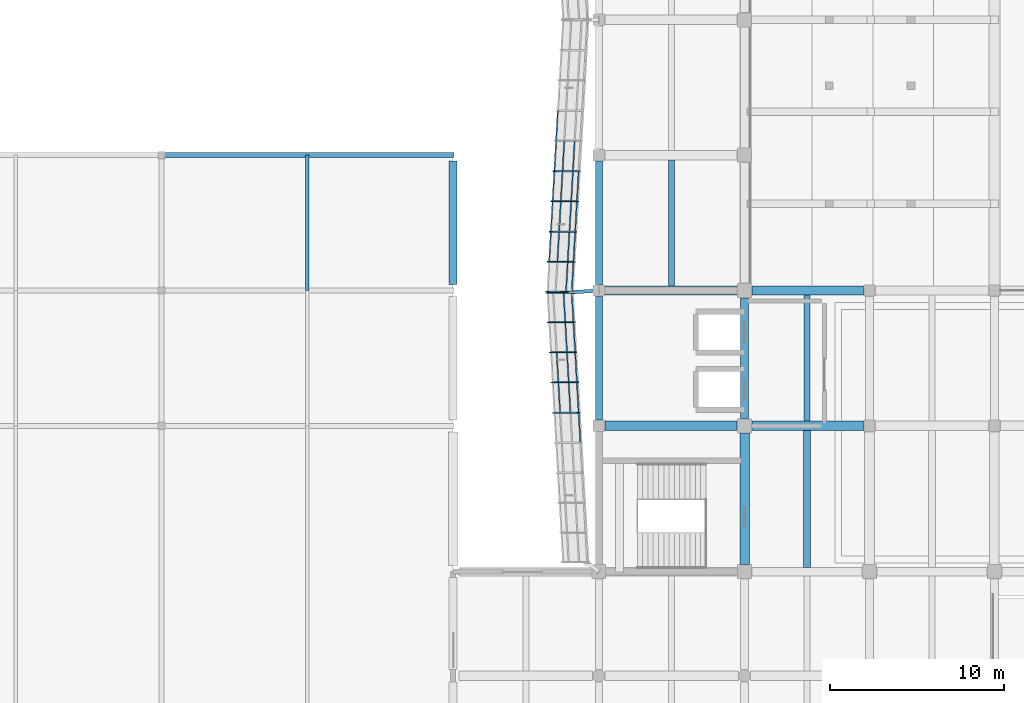
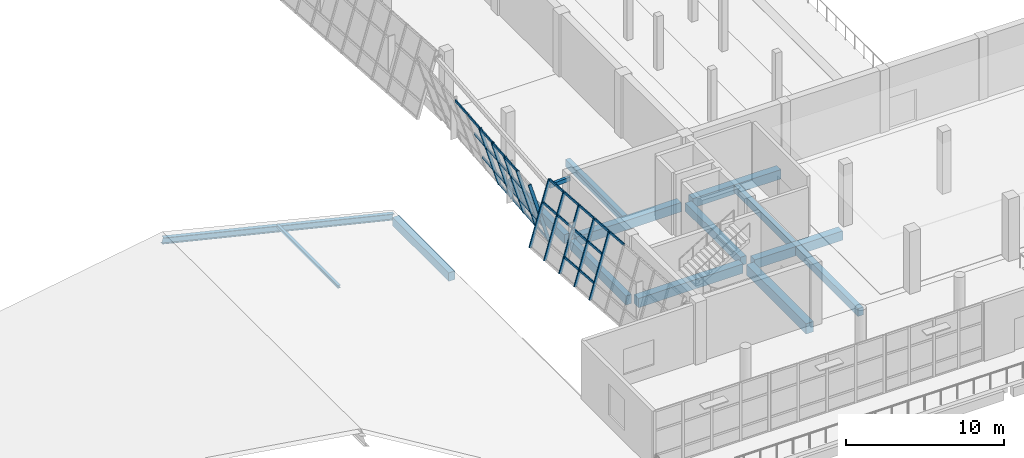
# One storey, part 9 of 79: 40 members, 14 beams, 2 elements without a shape of their own.
"""IFC4 building model written with IfcOpenShell, lengths in metres."""

from ifc_helpers import new_model, si_unit, direction, frame, origin, origin_2d, place, context, subcontext, project, spatial, rectangle, hollow_rectangle, i_section, extrude, material, material_profile, profile_set, type_object, element, aggregate, save


model = new_model("IFC4")

# Units and contexts
model_context = context("Model", 3, precision=1e-05, world=origin(), true_north=direction((0.0, 1.0)))
body_context = subcontext(model_context, "Body", "Model", "MODEL_VIEW")
ifc_project = project(units=[si_unit("LENGTHUNIT", "METRE"), si_unit("AREAUNIT", "SQUARE_METRE"), si_unit("VOLUMEUNIT", "CUBIC_METRE"), si_unit("PLANEANGLEUNIT", "RADIAN"), si_unit("MASSUNIT", "GRAM", prefix="KILO")], contexts=[model_context])

# Site, building, storey
site_placement = place(None, origin())
site = spatial("IfcSite", under=ifc_project, at=site_placement, CompositionType="ELEMENT")
building_placement = place(site_placement, origin())
building = spatial("IfcBuilding", under=site, at=building_placement, Name="Pellamere Symphony Hall", CompositionType="ELEMENT")
storey_placement = place(building_placement, frame((0.0, 0.0, 10.199951171875)))
storey = spatial("IfcBuildingStorey", under=building, at=storey_placement, Name="L02", CompositionType="ELEMENT", Elevation=10.199951171875)

# Curtain wall, members
ifc_material_1 = material(Name="Thermally Broken Anodised Aluminium 6063-T6 Curtain Wall", Category="aluminium")
curtain_wall_type = type_object("IfcCurtainWallType", Name="Curtain Wall CW-01 (Tilted Faceted Crystal Low-Iron Curtain Wall)", PredefinedType="NOTDEFINED", material=ifc_material_1)
curtain_wall_1_placement = place(storey_placement, origin())
curtain_wall_1 = element("IfcCurtainWall", 1, at=curtain_wall_1_placement, inside=storey, type_object=curtain_wall_type, Name="Crystal Faceted Curtain Wall CW-CR17 (L02)", PredefinedType="NOTDEFINED")
ifc_material_2 = material(Name="Anodised Architectural Aluminium 6063-T6", Category="aluminium")
ifc_material_profile_1 = material_profile(ifc_material_2, hollow_rectangle(XDim=0.074951171875, YDim=0.219970703125, WallThickness=0.0048828125, at=origin_2d()), Name="ALU-M75X220X5")
ifc_profile_set_1 = profile_set([ifc_material_profile_1], Name="Anodised Architectural Aluminium 6063-T6")
member_type_1 = type_object("IfcMemberType", Name="Curtain Wall Mullion ML-01 ALU-M75X220X5", PredefinedType="MULLION", material=ifc_profile_set_1)
member_1_placement = place(storey_placement, frame((49.25, 53.077880859375, 0.0), z_axis=(-0.284021911736, 0.0, 0.9588177896), x_axis=(-0.054873989333, -0.99836096977, -0.016254824977)))
member_1 = element("IfcMember", 2, at=member_1_placement, type_object=member_type_1, Name="CW1-049 crystal mullion 6", PredefinedType="MULLION", context=body_context, shape_type="SweptSolid", body=[
    extrude(hollow_rectangle(XDim=0.074951171875, YDim=0.219970703125, WallThickness=0.0048828125, at=origin_2d()), origin(), (0.0, 0.0, 1.0), 5.006103515625),
])
member_2_placement = place(storey_placement, frame((49.14990234375, 51.333251953125, 0.0), z_axis=(-0.283977077304, 0.0, 0.958831069358), x_axis=(-0.054874749346, -0.99836096977, -0.016252259063)))
member_2 = element("IfcMember", 3, at=member_2_placement, type_object=member_type_1, Name="CW1-049 crystal mullion 7", PredefinedType="MULLION", context=body_context, shape_type="SweptSolid", body=[
    extrude(hollow_rectangle(XDim=0.074951171875, YDim=0.219970703125, WallThickness=0.0048828125, at=origin_2d()), origin(), (0.0, 0.0, 1.0), 5.006103515625),
])
member_3_placement = place(storey_placement, frame((49.050048828125, 49.5888671875, 0.0), z_axis=(-0.284021911736, 0.0, 0.9588177896), x_axis=(-0.054873989333, -0.99836096977, -0.016254824977)))
member_3 = element("IfcMember", 4, at=member_3_placement, type_object=member_type_1, Name="CW1-049 crystal mullion 8", PredefinedType="MULLION", context=body_context, shape_type="SweptSolid", body=[
    extrude(hollow_rectangle(XDim=0.074951171875, YDim=0.219970703125, WallThickness=0.0048828125, at=origin_2d()), origin(), (0.0, 0.0, 1.0), 5.006103515625),
])
member_4_placement = place(storey_placement, frame((48.949951171875, 47.844482421875, 0.0), z_axis=(-0.283977077304, 0.0, 0.958831069358), x_axis=(-0.054874749346, -0.99836096977, -0.016252259063)))
member_4 = element("IfcMember", 5, at=member_4_placement, type_object=member_type_1, Name="CW1-049 crystal mullion 9", PredefinedType="MULLION", context=body_context, shape_type="SweptSolid", body=[
    extrude(hollow_rectangle(XDim=0.074951171875, YDim=0.219970703125, WallThickness=0.0048828125, at=origin_2d()), origin(), (0.0, 0.0, 1.0), 5.006103515625),
])
member_5_placement = place(storey_placement, frame((48.85205078125, 46.137451171875, 0.0), z_axis=(-0.283977077304, 0.0, 0.958831069358), x_axis=(-0.054874749346, -0.99836096977, -0.016252259063)))
member_5 = element("IfcMember", 6, at=member_5_placement, type_object=member_type_1, Name="CW1-049 crystal mullion 10", PredefinedType="MULLION", context=body_context, shape_type="SweptSolid", body=[
    extrude(hollow_rectangle(XDim=0.074951171875, YDim=0.219970703125, WallThickness=0.0048828125, at=origin_2d()), origin(), (0.0, 0.0, 1.0), 5.006103515625),
])

curtain_wall_2_placement = place(storey_placement, origin())
curtain_wall_2 = element("IfcCurtainWall", 7, at=curtain_wall_2_placement, inside=storey, type_object=curtain_wall_type, Name="Crystal Faceted Curtain Wall CW-CR18 (L02)", PredefinedType="NOTDEFINED")
member_6_placement = place(storey_placement, frame((47.430419921875, 46.0625, 0.0), z_axis=(0.283977077304, 0.0, 0.958831069358), x_axis=(-0.055225347331, 0.998339941676, 0.016356095697)))
member_6 = element("IfcMember", 8, at=member_6_placement, type_object=member_type_1, Name="CW1-054 crystal mullion 1", PredefinedType="MULLION", context=body_context, shape_type="SweptSolid", body=[
    extrude(hollow_rectangle(XDim=0.074951171875, YDim=0.219970703125, WallThickness=0.0048828125, at=origin_2d()), origin(), (0.0, 0.0, 1.0), 5.006103515625),
])
member_7_placement = place(storey_placement, frame((47.5283203125, 44.36669921875, 0.0), z_axis=(0.283977077304, 0.0, 0.958831069358), x_axis=(-0.055225347331, 0.998339941676, 0.016356095697)))
member_7 = element("IfcMember", 9, at=member_7_placement, type_object=member_type_1, Name="CW1-054 crystal mullion 2", PredefinedType="MULLION", context=body_context, shape_type="SweptSolid", body=[
    extrude(hollow_rectangle(XDim=0.074951171875, YDim=0.219970703125, WallThickness=0.0048828125, at=origin_2d()), origin(), (0.0, 0.0, 1.0), 5.006103515625),
])
member_8_placement = place(storey_placement, frame((47.628173828125, 42.63330078125, 0.0), z_axis=(0.284021911736, 0.0, 0.9588177896), x_axis=(-0.055224582463, 0.998339941676, 0.016358678005)))
member_8 = element("IfcMember", 10, at=member_8_placement, type_object=member_type_1, Name="CW1-054 crystal mullion 3", PredefinedType="MULLION", context=body_context, shape_type="SweptSolid", body=[
    extrude(hollow_rectangle(XDim=0.074951171875, YDim=0.219970703125, WallThickness=0.0048828125, at=origin_2d()), origin(), (0.0, 0.0, 1.0), 5.006103515625),
])
member_9_placement = place(storey_placement, frame((47.728271484375, 40.89990234375, 0.0), z_axis=(0.283977077304, 0.0, 0.958831069358), x_axis=(-0.055225347331, 0.998339941676, 0.016356095697)))
member_9 = element("IfcMember", 11, at=member_9_placement, type_object=member_type_1, Name="CW1-054 crystal mullion 4", PredefinedType="MULLION", context=body_context, shape_type="SweptSolid", body=[
    extrude(hollow_rectangle(XDim=0.074951171875, YDim=0.219970703125, WallThickness=0.0048828125, at=origin_2d()), origin(), (0.0, 0.0, 1.0), 5.006103515625),
])
member_10_placement = place(storey_placement, frame((47.828125, 39.166748046875, 0.0), z_axis=(0.284021911736, 0.0, 0.9588177896), x_axis=(-0.055224582463, 0.998339941676, 0.016358678005)))
member_10 = element("IfcMember", 12, at=member_10_placement, type_object=member_type_1, Name="CW1-054 crystal mullion 5", PredefinedType="MULLION", context=body_context, shape_type="SweptSolid", body=[
    extrude(hollow_rectangle(XDim=0.074951171875, YDim=0.219970703125, WallThickness=0.0048828125, at=origin_2d()), origin(), (0.0, 0.0, 1.0), 5.006103515625),
])

# Member
ifc_material_profile_2 = material_profile(ifc_material_2, hollow_rectangle(XDim=0.074951171875, YDim=0.179931640625, WallThickness=0.0048828125, at=origin_2d()), Name="ALU-T75X180X5")
ifc_profile_set_2 = profile_set([ifc_material_profile_2], Name="Anodised Architectural Aluminium 6063-T6")
member_type_2 = type_object("IfcMemberType", Name="Curtain Wall Transom TR-01 ALU-T75X180X5", PredefinedType="USERDEFINED", material=ifc_profile_set_2)
member_11_placement = place(storey_placement, frame((48.03662109375, 56.529296875, 4.76416015625), z_axis=(-0.057224396245, -0.998361341637, 0.0), x_axis=(0.998361341637, -0.057224396245, 0.0)))
member_11 = element("IfcMember", 13, at=member_11_placement, type_object=member_type_2, Name="CW1-049 crystal transom 4.4", ObjectType="TRANSOM", PredefinedType="USERDEFINED", context=body_context, shape_type="SweptSolid", body=[
    extrude(hollow_rectangle(XDim=0.074951171875, YDim=0.179931640625, WallThickness=0.0048828125, at=origin_2d()), origin(), (0.0, 0.0, 1.0), 1.67236328125),
])

member_12_placement = place(storey_placement, frame((49.006591796875, 54.78466796875, 1.152099609375), z_axis=(-0.057232737422, -0.998360863499, 0.0), x_axis=(0.998360863499, -0.057232737422, 0.0)))
member_12 = element("IfcMember", 14, at=member_12_placement, type_object=member_type_2, Name="CW1-049 crystal transom 5.2", ObjectType="TRANSOM", PredefinedType="USERDEFINED", context=body_context, shape_type="SweptSolid", body=[
    extrude(hollow_rectangle(XDim=0.074951171875, YDim=0.179931640625, WallThickness=0.0048828125, at=origin_2d()), origin(), (0.0, 0.0, 1.0), 1.672119140625),
])

member_13_placement = place(storey_placement, frame((48.409423828125, 54.78466796875, 3.16796875), z_axis=(-0.057232737422, -0.998360863499, 0.0), x_axis=(0.998360863499, -0.057232737422, 0.0)))
member_13 = element("IfcMember", 15, at=member_13_placement, type_object=member_type_2, Name="CW1-049 crystal transom 5.3", ObjectType="TRANSOM", PredefinedType="USERDEFINED", context=body_context, shape_type="SweptSolid", body=[
    extrude(hollow_rectangle(XDim=0.074951171875, YDim=0.179931640625, WallThickness=0.0048828125, at=origin_2d()), origin(), (0.0, 0.0, 1.0), 1.672119140625),
])

member_14_placement = place(storey_placement, frame((47.936767578125, 54.78466796875, 4.76416015625), z_axis=(-0.057232737422, -0.998360863499, 0.0), x_axis=(0.998360863499, -0.057232737422, 0.0)))
member_14 = element("IfcMember", 16, at=member_14_placement, type_object=member_type_2, Name="CW1-049 crystal transom 5.4", ObjectType="TRANSOM", PredefinedType="USERDEFINED", context=body_context, shape_type="SweptSolid", body=[
    extrude(hollow_rectangle(XDim=0.074951171875, YDim=0.179931640625, WallThickness=0.0048828125, at=origin_2d()), origin(), (0.0, 0.0, 1.0), 1.672119140625),
])

member_15_placement = place(storey_placement, frame((49.2373046875, 53.040283203125, 0.035888671875), z_axis=(-0.057232737422, -0.998360863499, 0.0), x_axis=(0.998360863499, -0.057232737422, 0.0)))
member_15 = element("IfcMember", 17, at=member_15_placement, type_object=member_type_2, Name="CW1-049 crystal transom 6.1", ObjectType="TRANSOM", PredefinedType="USERDEFINED", context=body_context, shape_type="SweptSolid", body=[
    extrude(hollow_rectangle(XDim=0.074951171875, YDim=0.179931640625, WallThickness=0.0048828125, at=origin_2d()), origin(), (0.0, 0.0, 1.0), 1.672119140625),
])

member_16_placement = place(storey_placement, frame((48.90673828125, 53.040283203125, 1.152099609375), z_axis=(-0.057232737422, -0.998360863499, 0.0), x_axis=(0.998360863499, -0.057232737422, 0.0)))
member_16 = element("IfcMember", 18, at=member_16_placement, type_object=member_type_2, Name="CW1-049 crystal transom 6.2", ObjectType="TRANSOM", PredefinedType="USERDEFINED", context=body_context, shape_type="SweptSolid", body=[
    extrude(hollow_rectangle(XDim=0.074951171875, YDim=0.179931640625, WallThickness=0.0048828125, at=origin_2d()), origin(), (0.0, 0.0, 1.0), 1.672119140625),
])

member_17_placement = place(storey_placement, frame((48.3095703125, 53.040283203125, 3.16796875), z_axis=(-0.057232737422, -0.998360863499, 0.0), x_axis=(0.998360863499, -0.057232737422, 0.0)))
member_17 = element("IfcMember", 19, at=member_17_placement, type_object=member_type_2, Name="CW1-049 crystal transom 6.3", ObjectType="TRANSOM", PredefinedType="USERDEFINED", context=body_context, shape_type="SweptSolid", body=[
    extrude(hollow_rectangle(XDim=0.074951171875, YDim=0.179931640625, WallThickness=0.0048828125, at=origin_2d()), origin(), (0.0, 0.0, 1.0), 1.672119140625),
])

member_18_placement = place(storey_placement, frame((47.836669921875, 53.040283203125, 4.76416015625), z_axis=(-0.057232737422, -0.998360863499, 0.0), x_axis=(0.998360863499, -0.057232737422, 0.0)))
member_18 = element("IfcMember", 20, at=member_18_placement, type_object=member_type_2, Name="CW1-049 crystal transom 6.4", ObjectType="TRANSOM", PredefinedType="USERDEFINED", context=body_context, shape_type="SweptSolid", body=[
    extrude(hollow_rectangle(XDim=0.074951171875, YDim=0.179931640625, WallThickness=0.0048828125, at=origin_2d()), origin(), (0.0, 0.0, 1.0), 1.672119140625),
])

member_19_placement = place(storey_placement, frame((49.13720703125, 51.2958984375, 0.035888671875), z_axis=(-0.057224396245, -0.998361341637, 0.0), x_axis=(0.998361341637, -0.057224396245, 0.0)))
member_19 = element("IfcMember", 21, at=member_19_placement, type_object=member_type_2, Name="CW1-049 crystal transom 7.1", ObjectType="TRANSOM", PredefinedType="USERDEFINED", context=body_context, shape_type="SweptSolid", body=[
    extrude(hollow_rectangle(XDim=0.074951171875, YDim=0.179931640625, WallThickness=0.0048828125, at=origin_2d()), origin(), (0.0, 0.0, 1.0), 1.67236328125),
])

member_20_placement = place(storey_placement, frame((48.806640625, 51.2958984375, 1.152099609375), z_axis=(-0.057224396245, -0.998361341637, 0.0), x_axis=(0.998361341637, -0.057224396245, 0.0)))
member_20 = element("IfcMember", 22, at=member_20_placement, type_object=member_type_2, Name="CW1-049 crystal transom 7.2", ObjectType="TRANSOM", PredefinedType="USERDEFINED", context=body_context, shape_type="SweptSolid", body=[
    extrude(hollow_rectangle(XDim=0.074951171875, YDim=0.179931640625, WallThickness=0.0048828125, at=origin_2d()), origin(), (0.0, 0.0, 1.0), 1.67236328125),
])

member_21_placement = place(storey_placement, frame((48.20947265625, 51.2958984375, 3.16796875), z_axis=(-0.057224396245, -0.998361341637, 0.0), x_axis=(0.998361341637, -0.057224396245, 0.0)))
member_21 = element("IfcMember", 23, at=member_21_placement, type_object=member_type_2, Name="CW1-049 crystal transom 7.3", ObjectType="TRANSOM", PredefinedType="USERDEFINED", context=body_context, shape_type="SweptSolid", body=[
    extrude(hollow_rectangle(XDim=0.074951171875, YDim=0.179931640625, WallThickness=0.0048828125, at=origin_2d()), origin(), (0.0, 0.0, 1.0), 1.67236328125),
])

member_22_placement = place(storey_placement, frame((47.73681640625, 51.2958984375, 4.76416015625), z_axis=(-0.057224396245, -0.998361341637, 0.0), x_axis=(0.998361341637, -0.057224396245, 0.0)))
member_22 = element("IfcMember", 24, at=member_22_placement, type_object=member_type_2, Name="CW1-049 crystal transom 7.4", ObjectType="TRANSOM", PredefinedType="USERDEFINED", context=body_context, shape_type="SweptSolid", body=[
    extrude(hollow_rectangle(XDim=0.074951171875, YDim=0.179931640625, WallThickness=0.0048828125, at=origin_2d()), origin(), (0.0, 0.0, 1.0), 1.67236328125),
])

member_23_placement = place(storey_placement, frame((49.037109375, 49.551513671875, 0.035888671875), z_axis=(-0.057224396245, -0.998361341637, 0.0), x_axis=(0.998361341637, -0.057224396245, 0.0)))
member_23 = element("IfcMember", 25, at=member_23_placement, type_object=member_type_2, Name="CW1-049 crystal transom 8.1", ObjectType="TRANSOM", PredefinedType="USERDEFINED", context=body_context, shape_type="SweptSolid", body=[
    extrude(hollow_rectangle(XDim=0.074951171875, YDim=0.179931640625, WallThickness=0.0048828125, at=origin_2d()), origin(), (0.0, 0.0, 1.0), 1.67236328125),
])

member_24_placement = place(storey_placement, frame((48.70654296875, 49.551513671875, 1.152099609375), z_axis=(-0.057224396245, -0.998361341637, 0.0), x_axis=(0.998361341637, -0.057224396245, 0.0)))
member_24 = element("IfcMember", 26, at=member_24_placement, type_object=member_type_2, Name="CW1-049 crystal transom 8.2", ObjectType="TRANSOM", PredefinedType="USERDEFINED", context=body_context, shape_type="SweptSolid", body=[
    extrude(hollow_rectangle(XDim=0.074951171875, YDim=0.179931640625, WallThickness=0.0048828125, at=origin_2d()), origin(), (0.0, 0.0, 1.0), 1.67236328125),
])

member_25_placement = place(storey_placement, frame((48.109375, 49.551513671875, 3.16796875), z_axis=(-0.057224396245, -0.998361341637, 0.0), x_axis=(0.998361341637, -0.057224396245, 0.0)))
member_25 = element("IfcMember", 27, at=member_25_placement, type_object=member_type_2, Name="CW1-049 crystal transom 8.3", ObjectType="TRANSOM", PredefinedType="USERDEFINED", context=body_context, shape_type="SweptSolid", body=[
    extrude(hollow_rectangle(XDim=0.074951171875, YDim=0.179931640625, WallThickness=0.0048828125, at=origin_2d()), origin(), (0.0, 0.0, 1.0), 1.67236328125),
])

member_26_placement = place(storey_placement, frame((47.63671875, 49.551513671875, 4.76416015625), z_axis=(-0.057224396245, -0.998361341637, 0.0), x_axis=(0.998361341637, -0.057224396245, 0.0)))
member_26 = element("IfcMember", 28, at=member_26_placement, type_object=member_type_2, Name="CW1-049 crystal transom 8.4", ObjectType="TRANSOM", PredefinedType="USERDEFINED", context=body_context, shape_type="SweptSolid", body=[
    extrude(hollow_rectangle(XDim=0.074951171875, YDim=0.179931640625, WallThickness=0.0048828125, at=origin_2d()), origin(), (0.0, 0.0, 1.0), 1.67236328125),
])

member_27_placement = place(storey_placement, frame((48.937255859375, 47.806884765625, 0.035888671875), z_axis=(-0.057198647566, -0.998362817175, 0.0), x_axis=(0.998362817175, -0.057198647566, 0.0)))
member_27 = element("IfcMember", 29, at=member_27_placement, type_object=member_type_2, Name="CW1-049 crystal transom 9.1", ObjectType="TRANSOM", PredefinedType="USERDEFINED", context=body_context, shape_type="SweptSolid", body=[
    extrude(hollow_rectangle(XDim=0.074951171875, YDim=0.179931640625, WallThickness=0.0048828125, at=origin_2d()), origin(), (0.0, 0.0, 1.0), 1.634765625),
])

member_28_placement = place(storey_placement, frame((48.606689453125, 47.806884765625, 1.152099609375), z_axis=(-0.057347500779, -0.998354277877, 0.0), x_axis=(0.998354277877, -0.057347500779, 0.0)))
member_28 = element("IfcMember", 30, at=member_28_placement, type_object=member_type_2, Name="CW1-049 crystal transom 9.2", ObjectType="TRANSOM", PredefinedType="USERDEFINED", context=body_context, shape_type="SweptSolid", body=[
    extrude(hollow_rectangle(XDim=0.074951171875, YDim=0.179931640625, WallThickness=0.0048828125, at=origin_2d()), origin(), (0.0, 0.0, 1.0), 1.634765625),
])

aggregate(curtain_wall_1, [member_1, member_2, member_3, member_4, member_5, member_11, member_12, member_13, member_14, member_15, member_16, member_17, member_18, member_19, member_20, member_21, member_22, member_23, member_24, member_25, member_26, member_27, member_28])

member_29_placement = place(storey_placement, frame((48.370849609375, 46.025146484375, 3.16796875), z_axis=(0.057585007883, -0.99834060664, 0.0), x_axis=(0.99834060664, 0.057585007883, 0.0)))
member_29 = element("IfcMember", 31, at=member_29_placement, type_object=member_type_2, Name="CW1-054 crystal transom 1.3", ObjectType="TRANSOM", PredefinedType="USERDEFINED", context=body_context, shape_type="SweptSolid", body=[
    extrude(hollow_rectangle(XDim=0.074951171875, YDim=0.179931640625, WallThickness=0.0048828125, at=origin_2d()), origin(), (0.0, 0.0, 1.0), 1.623779296875),
])

member_30_placement = place(storey_placement, frame((48.84375, 46.025146484375, 4.76416015625), z_axis=(0.057585007883, -0.99834060664, 0.0), x_axis=(0.99834060664, 0.057585007883, 0.0)))
member_30 = element("IfcMember", 32, at=member_30_placement, type_object=member_type_2, Name="CW1-054 crystal transom 1.4", ObjectType="TRANSOM", PredefinedType="USERDEFINED", context=body_context, shape_type="SweptSolid", body=[
    extrude(hollow_rectangle(XDim=0.074951171875, YDim=0.179931640625, WallThickness=0.0048828125, at=origin_2d()), origin(), (0.0, 0.0, 1.0), 1.623779296875),
])

member_31_placement = place(storey_placement, frame((48.46875, 44.329345703125, 3.16796875), z_axis=(0.057602168051, -0.998339616682, 0.0), x_axis=(0.998339616682, 0.057602168051, 0.0)))
member_31 = element("IfcMember", 33, at=member_31_placement, type_object=member_type_2, Name="CW1-054 crystal transom 2.3", ObjectType="TRANSOM", PredefinedType="USERDEFINED", context=body_context, shape_type="SweptSolid", body=[
    extrude(hollow_rectangle(XDim=0.074951171875, YDim=0.179931640625, WallThickness=0.0048828125, at=origin_2d()), origin(), (0.0, 0.0, 1.0), 1.661376953125),
])

member_32_placement = place(storey_placement, frame((48.94140625, 44.329345703125, 4.76416015625), z_axis=(0.057602168051, -0.998339616682, 0.0), x_axis=(0.998339616682, 0.057602168051, 0.0)))
member_32 = element("IfcMember", 34, at=member_32_placement, type_object=member_type_2, Name="CW1-054 crystal transom 2.4", ObjectType="TRANSOM", PredefinedType="USERDEFINED", context=body_context, shape_type="SweptSolid", body=[
    extrude(hollow_rectangle(XDim=0.074951171875, YDim=0.179931640625, WallThickness=0.0048828125, at=origin_2d()), origin(), (0.0, 0.0, 1.0), 1.661376953125),
])

member_33_placement = place(storey_placement, frame((47.9716796875, 42.595947265625, 1.152099609375), z_axis=(0.057610619545, -0.998339129012, 0.0), x_axis=(0.998339129012, 0.057610619545, 0.0)))
member_33 = element("IfcMember", 35, at=member_33_placement, type_object=member_type_2, Name="CW1-054 crystal transom 3.2", ObjectType="TRANSOM", PredefinedType="USERDEFINED", context=body_context, shape_type="SweptSolid", body=[
    extrude(hollow_rectangle(XDim=0.074951171875, YDim=0.179931640625, WallThickness=0.0048828125, at=origin_2d()), origin(), (0.0, 0.0, 1.0), 1.6611328125),
])

member_34_placement = place(storey_placement, frame((48.56884765625, 42.595947265625, 3.16796875), z_axis=(0.057464139598, -0.998347571069, 0.0), x_axis=(0.998347571069, 0.057464139598, 0.0)))
member_34 = element("IfcMember", 36, at=member_34_placement, type_object=member_type_2, Name="CW1-054 crystal transom 3.3", ObjectType="TRANSOM", PredefinedType="USERDEFINED", context=body_context, shape_type="SweptSolid", body=[
    extrude(hollow_rectangle(XDim=0.074951171875, YDim=0.179931640625, WallThickness=0.0048828125, at=origin_2d()), origin(), (0.0, 0.0, 1.0), 1.6611328125),
])

member_35_placement = place(storey_placement, frame((49.04150390625, 42.595947265625, 4.76416015625), z_axis=(0.057610619545, -0.998339129012, 0.0), x_axis=(0.998339129012, 0.057610619545, 0.0)))
member_35 = element("IfcMember", 37, at=member_35_placement, type_object=member_type_2, Name="CW1-054 crystal transom 3.4", ObjectType="TRANSOM", PredefinedType="USERDEFINED", context=body_context, shape_type="SweptSolid", body=[
    extrude(hollow_rectangle(XDim=0.074951171875, YDim=0.179931640625, WallThickness=0.0048828125, at=origin_2d()), origin(), (0.0, 0.0, 1.0), 1.6611328125),
])

member_36_placement = place(storey_placement, frame((48.071533203125, 40.862548828125, 1.152099609375), z_axis=(0.057610619545, -0.998339129012, 0.0), x_axis=(0.998339129012, 0.057610619545, 0.0)))
member_36 = element("IfcMember", 38, at=member_36_placement, type_object=member_type_2, Name="CW1-054 crystal transom 4.2", ObjectType="TRANSOM", PredefinedType="USERDEFINED", context=body_context, shape_type="SweptSolid", body=[
    extrude(hollow_rectangle(XDim=0.074951171875, YDim=0.179931640625, WallThickness=0.0048828125, at=origin_2d()), origin(), (0.0, 0.0, 1.0), 1.6611328125),
])

member_37_placement = place(storey_placement, frame((48.668701171875, 40.862548828125, 3.16796875), z_axis=(0.057610619545, -0.998339129012, 0.0), x_axis=(0.998339129012, 0.057610619545, 0.0)))
member_37 = element("IfcMember", 39, at=member_37_placement, type_object=member_type_2, Name="CW1-054 crystal transom 4.3", ObjectType="TRANSOM", PredefinedType="USERDEFINED", context=body_context, shape_type="SweptSolid", body=[
    extrude(hollow_rectangle(XDim=0.074951171875, YDim=0.179931640625, WallThickness=0.0048828125, at=origin_2d()), origin(), (0.0, 0.0, 1.0), 1.6611328125),
])

member_38_placement = place(storey_placement, frame((49.1416015625, 40.862548828125, 4.76416015625), z_axis=(0.057610619545, -0.998339129012, 0.0), x_axis=(0.998339129012, 0.057610619545, 0.0)))
member_38 = element("IfcMember", 40, at=member_38_placement, type_object=member_type_2, Name="CW1-054 crystal transom 4.4", ObjectType="TRANSOM", PredefinedType="USERDEFINED", context=body_context, shape_type="SweptSolid", body=[
    extrude(hollow_rectangle(XDim=0.074951171875, YDim=0.179931640625, WallThickness=0.0048828125, at=origin_2d()), origin(), (0.0, 0.0, 1.0), 1.6611328125),
])

member_39_placement = place(storey_placement, frame((49.241455078125, 39.129150390625, 4.76416015625), z_axis=(0.057610619545, -0.998339129012, 0.0), x_axis=(0.998339129012, 0.057610619545, 0.0)))
member_39 = element("IfcMember", 41, at=member_39_placement, type_object=member_type_2, Name="CW1-054 crystal transom 5.4", ObjectType="TRANSOM", PredefinedType="USERDEFINED", context=body_context, shape_type="SweptSolid", body=[
    extrude(hollow_rectangle(XDim=0.074951171875, YDim=0.179931640625, WallThickness=0.0048828125, at=origin_2d()), origin(), (0.0, 0.0, 1.0), 1.6611328125),
])

aggregate(curtain_wall_2, [member_6, member_7, member_8, member_9, member_10, member_29, member_30, member_31, member_32, member_33, member_34, member_35, member_36, member_37, member_38, member_39])

# Beams
ifc_material_3 = material(Name="Concrete 40 MPa", Category="concrete")
ifc_material_profile_3 = material_profile(ifc_material_3, rectangle(XDim=0.550048828125, YDim=0.800048828125, at=origin_2d()), Name="RC 550x800")
ifc_profile_set_3 = profile_set([ifc_material_profile_3], Name="Concrete 40 MPa")
beam_type_1 = type_object("IfcBeamType", Name="RC CB-05 550x800", PredefinedType="BEAM", material=ifc_profile_set_3)
beam_1_placement = place(storey_placement, frame((58.800048828125, 30.425048828125, -0.679931640625), z_axis=(0.0, 1.0, 0.0), x_axis=(-1.0, 0.0, 0.0)))
element("IfcBeam", 42, at=beam_1_placement, inside=storey, type_object=beam_type_1, Name="Girder CB-05-Y1261 (L02)", PredefinedType="BEAM", context=body_context, shape_type="SweptSolid", body=[
    extrude(rectangle(XDim=0.550048828125, YDim=0.800048828125, at=origin_2d()), origin(), (0.0, 0.0, 1.0), 7.550048828125),
])
ifc_material_profile_4 = material_profile(ifc_material_3, rectangle(XDim=0.449951171875, YDim=0.64990234375, at=origin_2d()), Name="RC 450x650")
ifc_profile_set_4 = profile_set([ifc_material_profile_4], Name="Concrete 40 MPa")
beam_type_2 = type_object("IfcBeamType", Name="RC CB-08 450x650", PredefinedType="BEAM", material=ifc_profile_set_4)
beam_2_placement = place(storey_placement, frame((42.0, 46.550048828125, -0.60498046875), z_axis=(0.0, 1.0, 0.0), x_axis=(-1.0, 0.0, 0.0)))
element("IfcBeam", 43, at=beam_2_placement, inside=storey, type_object=beam_type_2, Name="Girder CB-08-Y1248 (L02)", PredefinedType="BEAM", context=body_context, shape_type="SweptSolid", body=[
    extrude(rectangle(XDim=0.449951171875, YDim=0.64990234375, at=origin_2d()), origin(), (0.0, 0.0, 1.0), 7.099853515625),
])
beam_3_placement = place(storey_placement, frame((58.800048828125, 38.824951171875, -0.60498046875), z_axis=(0.0, 1.0, 0.0), x_axis=(-1.0, 0.0, 0.0)))
element("IfcBeam", 44, at=beam_3_placement, inside=storey, type_object=beam_type_2, Name="Girder CB-08-Y1262 (L02)", PredefinedType="BEAM", context=body_context, shape_type="SweptSolid", body=[
    extrude(rectangle(XDim=0.449951171875, YDim=0.64990234375, at=origin_2d()), origin(), (0.0, 0.0, 1.0), 6.949951171875),
])
ifc_material_profile_5 = material_profile(ifc_material_3, rectangle(XDim=0.39990234375, YDim=0.60009765625, at=origin_2d()), Name="RC 400x600")
ifc_profile_set_5 = profile_set([ifc_material_profile_5], Name="Concrete 40 MPa")
beam_type_3 = type_object("IfcBeamType", Name="RC CB-09 400x600", PredefinedType="BEAM", material=ifc_profile_set_5)
beam_4_placement = place(storey_placement, frame((62.39990234375, 30.239990234375, -0.594970703125), z_axis=(0.0, 1.0, 0.0), x_axis=(-1.0, 0.0, 0.0)))
element("IfcBeam", 45, at=beam_4_placement, inside=storey, type_object=beam_type_3, Name="Secondary Floor Beam CB-09-M0704 (L02)", PredefinedType="BEAM", context=body_context, shape_type="SweptSolid", body=[
    extrude(rectangle(XDim=0.39990234375, YDim=0.60009765625, at=origin_2d()), origin(), (0.0, 0.0, 1.0), 7.889892578125),
])
ifc_material_4 = material(Name="Concrete 35 MPa", Category="concrete")
ifc_material_profile_6 = material_profile(ifc_material_4, rectangle(XDim=0.35009765625, YDim=0.550048828125, at=origin_2d()), Name="RC 350x550")
ifc_profile_set_6 = profile_set([ifc_material_profile_6], Name="Concrete 35 MPa")
beam_type_4 = type_object("IfcBeamType", Name="RC CB-10 350x550", PredefinedType="BEAM", material=ifc_profile_set_6)
for number, where, z_axis, x_axis, name in (
    (46, (54.60009765625, 46.469970703125, -0.570068359375), (0.0, 1.0, 0.0), (-1.0, 0.0, 0.0), "Secondary Floor Beam CB-10-M0606 (L02)"),
    (47, (62.39990234375, 38.669921875, -0.570068359375), (0.0, 1.0, 0.0), (-1.0, 0.0, 0.0), "Secondary Floor Beam CB-10-M0705 (L02)"),
):
    element("IfcBeam", number, at=place(storey_placement, frame(where, z_axis=z_axis, x_axis=x_axis)), inside=storey, type_object=beam_type_4, Name=name, PredefinedType="BEAM", context=body_context, shape_type="SweptSolid", body=[
        extrude(rectangle(XDim=0.35009765625, YDim=0.550048828125, at=origin_2d()), origin(), (0.0, 0.0, 1.0), 7.260009765625),
    ])
ifc_material_profile_7 = material_profile(ifc_material_3, rectangle(XDim=0.39990234375, YDim=0.699951171875, at=origin_2d()), Name="RC 400x700")
ifc_profile_set_7 = profile_set([ifc_material_profile_7], Name="Concrete 40 MPa")
beam_type_5 = type_object("IfcBeamType", Name="RC CB-13 400x700", PredefinedType="SPANDREL", material=ifc_profile_set_7)
beam_5_placement = place(storey_placement, frame((50.39990234375, 38.75, -0.6298828125), z_axis=(0.0, 1.0, 0.0), x_axis=(-1.0, 0.0, 0.0)))
element("IfcBeam", 48, at=beam_5_placement, inside=storey, type_object=beam_type_5, Name="Girder CB-13-Y1251 (L02)", PredefinedType="SPANDREL", context=body_context, shape_type="SweptSolid", body=[
    extrude(rectangle(XDim=0.39990234375, YDim=0.699951171875, at=origin_2d()), origin(), (0.0, 0.0, 1.0), 7.10009765625),
])
beam_6_placement = place(storey_placement, frame((50.39990234375, 46.550048828125, -0.6298828125), z_axis=(0.0, 1.0, 0.0), x_axis=(-1.0, 0.0, 0.0)))
element("IfcBeam", 49, at=beam_6_placement, inside=storey, type_object=beam_type_5, Name="Girder CB-13-Y1252 (L02)", PredefinedType="SPANDREL", context=body_context, shape_type="SweptSolid", body=[
    extrude(rectangle(XDim=0.39990234375, YDim=0.699951171875, at=origin_2d()), origin(), (0.0, 0.0, 1.0), 7.099853515625),
])
ifc_material_profile_8 = material_profile(ifc_material_3, rectangle(XDim=0.5400390625, YDim=0.719970703125, at=origin_2d()), Name="RC 540x720")
ifc_profile_set_8 = profile_set([ifc_material_profile_8], Name="Concrete 40 MPa")
beam_type_6 = type_object("IfcBeamType", Name="RC CB-24 540x720", PredefinedType="BEAM", material=ifc_profile_set_8)
beam_7_placement = place(storey_placement, frame((50.75, 38.39990234375, -0.639892578125), z_axis=(1.0, 0.0, 0.0), x_axis=(0.0, 1.0, 0.0)))
element("IfcBeam", 50, at=beam_7_placement, inside=storey, type_object=beam_type_6, Name="Girder CB-24-X1094 (L02)", PredefinedType="BEAM", context=body_context, shape_type="SweptSolid", body=[
    extrude(rectangle(XDim=0.5400390625, YDim=0.719970703125, at=origin_2d()), origin(), (0.0, 0.0, 1.0), 7.625),
])
beam_8_placement = place(storey_placement, frame((59.22509765625, 38.39990234375, -0.639892578125), z_axis=(1.0, 0.0, 0.0), x_axis=(0.0, 1.0, 0.0)))
element("IfcBeam", 51, at=beam_8_placement, inside=storey, type_object=beam_type_6, Name="Girder CB-24-X1095 (L02)", PredefinedType="BEAM", context=body_context, shape_type="SweptSolid", body=[
    extrude(rectangle(XDim=0.5400390625, YDim=0.719970703125, at=origin_2d()), origin(), (0.0, 0.0, 1.0), 6.4248046875),
])
beam_9_placement = place(storey_placement, frame((50.75, 46.199951171875, -0.639892578125), z_axis=(1.0, 0.0, 0.0), x_axis=(0.0, 1.0, 0.0)))
element("IfcBeam", 52, at=beam_9_placement, inside=storey, type_object=beam_type_6, Name="Girder CB-24-X1114 (L02)", PredefinedType="BEAM", context=body_context, shape_type="SweptSolid", body=[
    extrude(rectangle(XDim=0.5400390625, YDim=0.719970703125, at=origin_2d()), origin(), (0.0, 0.0, 1.0), 7.625),
])
beam_10_placement = place(storey_placement, frame((59.22509765625, 46.199951171875, -0.639892578125), z_axis=(1.0, 0.0, 0.0), x_axis=(0.0, 1.0, 0.0)))
element("IfcBeam", 53, at=beam_10_placement, inside=storey, type_object=beam_type_6, Name="Girder CB-24-X1115 (L02)", PredefinedType="BEAM", context=body_context, shape_type="SweptSolid", body=[
    extrude(rectangle(XDim=0.5400390625, YDim=0.719970703125, at=origin_2d()), origin(), (0.0, 0.0, 1.0), 6.4248046875),
])
ifc_material_5 = material(Name="Steel CSA G40.21 350W", Category="steel")
ifc_material_profile_9 = material_profile(ifc_material_5, i_section(OverallWidth=0.282958984375, OverallDepth=0.471923828125, WebThickness=0.013671875, FlangeThickness=0.022216796875, at=origin_2d()), Name="W460X144")
ifc_profile_set_9 = profile_set([ifc_material_profile_9], Name="Steel CSA G40.21 350W")
beam_type_7 = type_object("IfcBeamType", Name="Steel Beam SB-15 W460X144", PredefinedType="BEAM", material=ifc_profile_set_9)
beam_11_placement = place(storey_placement, frame((25.199951171875, 54.0, 3.550048828125), z_axis=(0.972413335044, 0.0, -0.233264454704), x_axis=(0.0, 1.0, 0.0)))
element("IfcBeam", 54, at=beam_11_placement, inside=storey, type_object=beam_type_7, Name="Chamber Roof Steel Rafter 6E", PredefinedType="BEAM", context=body_context, shape_type="SweptSolid", body=[
    extrude(i_section(OverallWidth=0.282958984375, OverallDepth=0.471923828125, WebThickness=0.013671875, FlangeThickness=0.022216796875, at=origin_2d()), origin(), (0.0, 0.0, 1.0), 17.276611328125),
])

# Member
ifc_material_profile_10 = material_profile(ifc_material_5, i_section(OverallWidth=0.2041015625, OverallDepth=0.2060546875, WebThickness=0.0078125, FlangeThickness=0.0126953125, at=origin_2d()), Name="W200X52")
ifc_profile_set_10 = profile_set([ifc_material_profile_10], Name="Steel CSA G40.21 350W")
member_type_3 = type_object("IfcMemberType", Name="Steel Member SM-15 W200X52", PredefinedType="PURLIN", material=ifc_profile_set_10)
member_40_placement = place(storey_placement, frame((33.60009765625, 46.199951171875, 1.739990234375), z_axis=(0.0, 1.0, 0.0), x_axis=(-1.0, 0.0, 0.0)))
element("IfcMember", 55, at=member_40_placement, inside=storey, type_object=member_type_3, Name="Chamber Roof Steel Purlin 5.33", PredefinedType="PURLIN", context=body_context, shape_type="SweptSolid", body=[
    extrude(i_section(OverallWidth=0.2041015625, OverallDepth=0.2060546875, WebThickness=0.0078125, FlangeThickness=0.0126953125, at=origin_2d()), origin(), (0.0, 0.0, 1.0), 7.800048828125),
])

# Beam
ifc_material_profile_11 = material_profile(ifc_material_5, hollow_rectangle(XDim=0.203125, YDim=0.3046875, WallThickness=0.0126953125, at=origin_2d()), Name="HSS305X203X13")
ifc_profile_set_11 = profile_set([ifc_material_profile_11], Name="Steel CSA G40.21 350W")
beam_type_8 = type_object("IfcBeamType", Name="Steel Spandrel SB-26 HSS305X203X13", PredefinedType="SPANDREL", material=ifc_profile_set_11)
beam_12_placement = place(storey_placement, frame((50.39990234375, 46.199951171875, 4.239990234375), z_axis=(-0.997930844069, -0.064296426469, 0.0), x_axis=(0.064296426469, -0.997930844069, 0.0)))
element("IfcBeam", 56, at=beam_12_placement, inside=storey, type_object=beam_type_8, Name="Crystal Ring Outrigger Bracket 111 (L02)", PredefinedType="SPANDREL", context=body_context, shape_type="SweptSolid", body=[
    extrude(hollow_rectangle(XDim=0.203125, YDim=0.3046875, WallThickness=0.0126953125, at=origin_2d()), origin(), (0.0, 0.0, 1.0), 1.552978515625),
])

save(model, "model.ifc")
